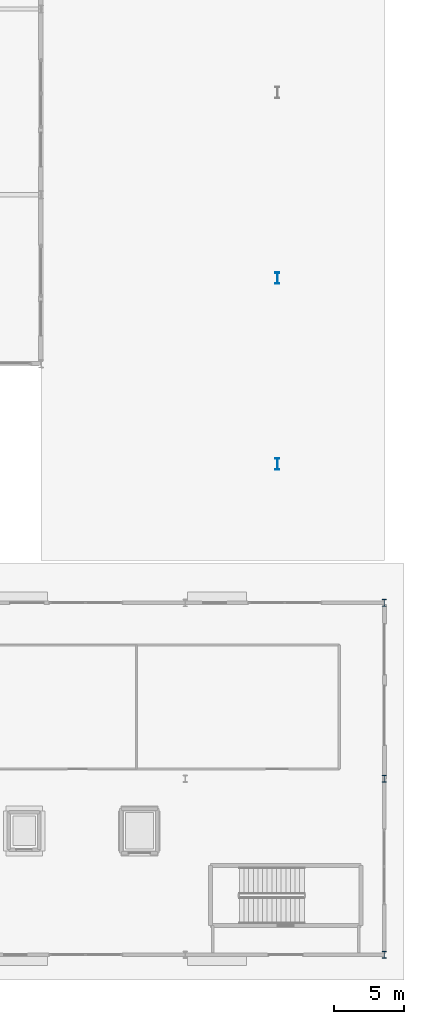
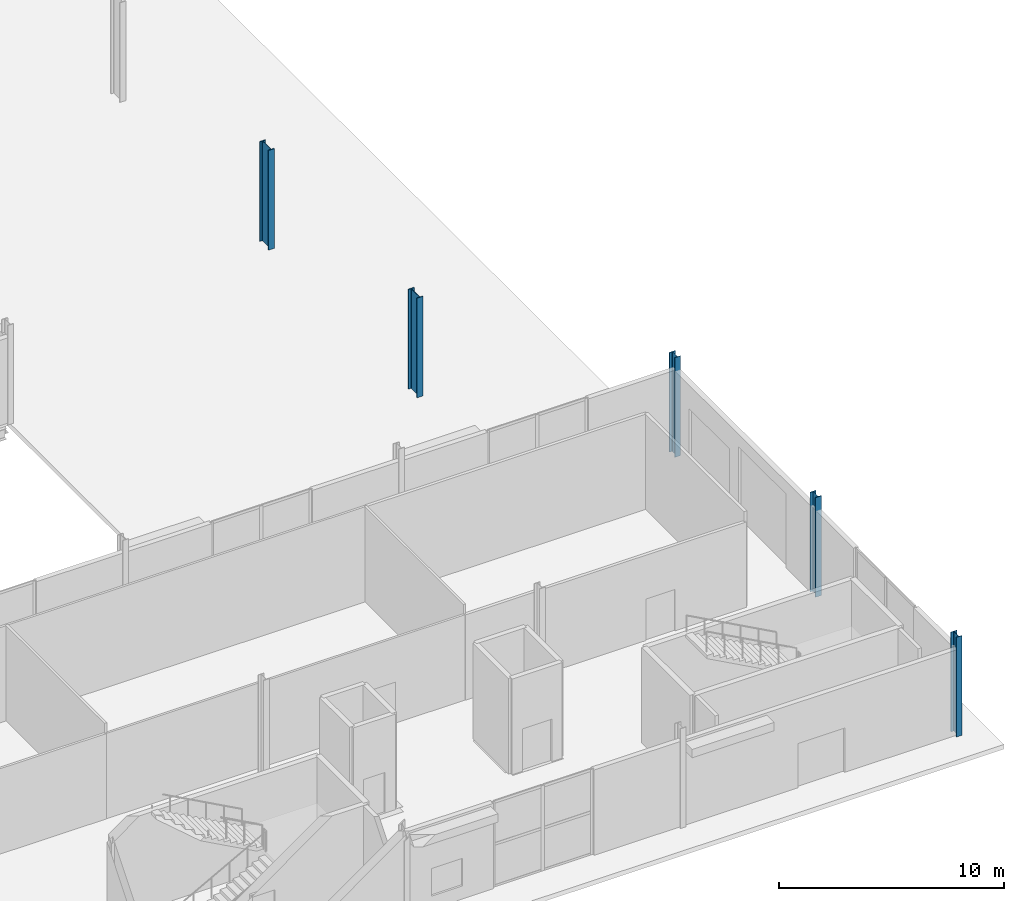
# One storey, part 15 of 87: 5 columns.
"""IFC4 building model written with IfcOpenShell, lengths in metres."""

from ifc_helpers import new_model, si_unit, direction, frame, origin, origin_2d, place, context, subcontext, project, spatial, i_section, extrude, material, material_profile, profile_set, type_object, element, save


model = new_model("IFC4")

# Units and contexts
model_context = context("Model", 3, precision=1e-05, world=origin(), true_north=direction((0.0, 1.0)))
body_context = subcontext(model_context, "Body", "Model", "MODEL_VIEW")
ifc_project = project(units=[si_unit("LENGTHUNIT", "METRE"), si_unit("AREAUNIT", "SQUARE_METRE"), si_unit("VOLUMEUNIT", "CUBIC_METRE"), si_unit("PLANEANGLEUNIT", "RADIAN"), si_unit("MASSUNIT", "GRAM", prefix="KILO")], contexts=[model_context])

# Site, building, storey
site_placement = place(None, origin())
site = spatial("IfcSite", under=ifc_project, at=site_placement, CompositionType="ELEMENT")
building_placement = place(site_placement, origin())
building = spatial("IfcBuilding", under=site, at=building_placement, Name="Kimbaza Rail Terminus", CompositionType="ELEMENT")
storey_placement = place(building_placement, origin())
storey = spatial("IfcBuildingStorey", under=building, at=storey_placement, Name="L00", CompositionType="ELEMENT", Elevation=0.0)

# Columns
ifc_material_1 = material(Name="Steel S355", Category="steel")
ifc_material_profile_1 = material_profile(ifc_material_1, i_section(OverallWidth=0.300048828125, OverallDepth=0.5, WebThickness=0.014404296875, FlangeThickness=0.028076171875, FilletRadius=0.027099609375, at=origin_2d()), Name="HEB 500")
ifc_profile_set_1 = profile_set([ifc_material_profile_1], Name="Steel S355")
column_type_1 = type_object("IfcColumnType", Name="STR-COL-HEB500", PredefinedType="COLUMN", material=ifc_profile_set_1)
for number, where, z_axis, x_axis, name in (
    (1, (214.0, 13.0, 0.0), (0.0, 0.0, 1.0), (1.0, 0.0, 0.0), "Retail Pavilion Column L00 (4,0)"),
    (2, (214.0, 25.5, 0.0), (0.0, 0.0, 1.0), (1.0, 0.0, 0.0), "Retail Pavilion Column L00 (4,1)"),
    (3, (214.0, 38.0, 0.0), (0.0, 0.0, 1.0), (1.0, 0.0, 0.0), "Retail Pavilion Column L00 (4,2)"),
):
    element("IfcColumn", number, at=place(storey_placement, frame(where, z_axis=z_axis, x_axis=x_axis)), inside=storey, type_object=column_type_1, Name=name, PredefinedType="COLUMN", context=body_context, shape_type="SweptSolid", body=[
        extrude(i_section(OverallWidth=0.300048828125, OverallDepth=0.5, WebThickness=0.014404296875, FlangeThickness=0.028076171875, FilletRadius=0.027099609375, at=origin_2d()), origin(), (0.0, 0.0, 1.0), 5.39990234375),
    ])
ifc_material_2 = material(Name="Steel S355", Category="steel")
ifc_material_profile_2 = material_profile(ifc_material_2, i_section(OverallWidth=0.302978515625, OverallDepth=0.81396484375, WebThickness=0.02099609375, FlangeThickness=0.0400390625, FilletRadius=0.030029296875, at=origin_2d()), Name="HEM 800")
ifc_profile_set_2 = profile_set([ifc_material_profile_2], Name="Steel S355")
column_type_2 = type_object("IfcColumnType", Name="STR-COL-HEM800", PredefinedType="COLUMN", material=ifc_profile_set_2)
for number, where, z_axis, x_axis, name in (
    (4, (206.39990234375, 47.8759765625, 0.0), (0.0, 0.0, 1.0), (1.0, 0.0, 0.0), "Viaduct Pier Column L00 VP-12"),
    (5, (206.39990234375, 61.075927734375, 0.0), (0.0, 0.0, 1.0), (1.0, 0.0, 0.0), "Viaduct Pier Column L00 VP-12"),
):
    element("IfcColumn", number, at=place(storey_placement, frame(where, z_axis=z_axis, x_axis=x_axis)), inside=storey, type_object=column_type_2, Name=name, PredefinedType="COLUMN", context=body_context, shape_type="SweptSolid", body=[
        extrude(i_section(OverallWidth=0.302978515625, OverallDepth=0.81396484375, WebThickness=0.02099609375, FlangeThickness=0.0400390625, FilletRadius=0.030029296875, at=origin_2d()), origin(), (0.0, 0.0, 1.0), 5.39990234375),
    ])

save(model, "model.ifc")
